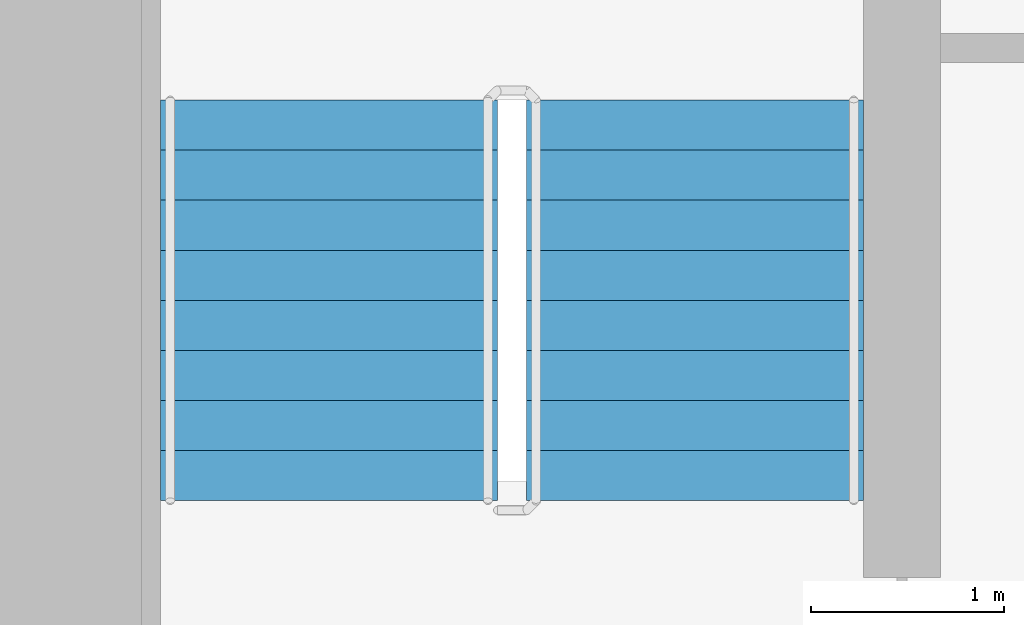
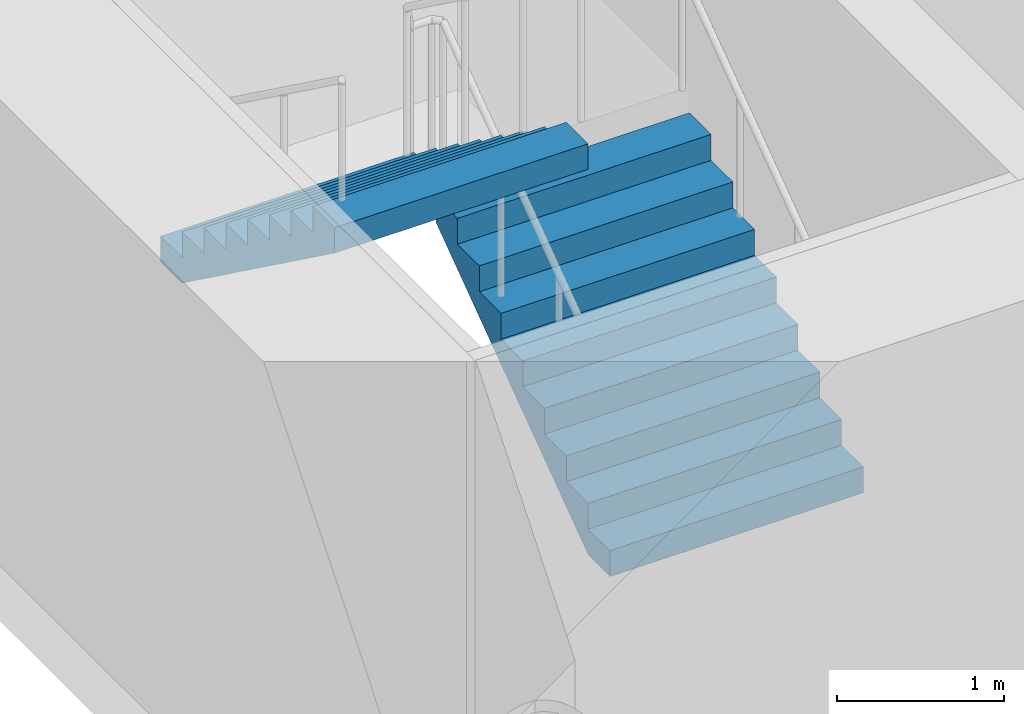
# One storey, part 20 of 22: 2 stair flights, 1 element without a shape of its own.
"""IFC4 building model written with IfcOpenShell, lengths in metres."""

from ifc_helpers import new_model, si_unit, direction, frame, origin, place, context, subcontext, project, spatial, faceted_brep, material, type_object, element, aggregate, save


model = new_model("IFC4")

# Units and contexts
model_context = context("Model", 3, precision=1e-05, world=origin(), true_north=direction((0.0, 1.0)))
body_context = subcontext(model_context, "Body", "Model", "MODEL_VIEW")
ifc_project = project(units=[si_unit("LENGTHUNIT", "METRE"), si_unit("AREAUNIT", "SQUARE_METRE"), si_unit("VOLUMEUNIT", "CUBIC_METRE"), si_unit("PLANEANGLEUNIT", "RADIAN"), si_unit("MASSUNIT", "GRAM", prefix="KILO")], contexts=[model_context])

# Site, building, storey
site_placement = place(None, origin())
site = spatial("IfcSite", under=ifc_project, at=site_placement, CompositionType="ELEMENT")
building_placement = place(site_placement, origin())
building = spatial("IfcBuilding", under=site, at=building_placement, Name="Ipe Terrace Towers", CompositionType="ELEMENT")
storey_placement = place(building_placement, frame((0.0, 0.0, 61.89990234375)))
storey = spatial("IfcBuildingStorey", under=building, at=storey_placement, Name="L16", CompositionType="ELEMENT", Elevation=61.89990234375)

# Stair, stair flights
ifc_material_1 = material(Name="Concrete C30/37", Category="concrete")
stair_type = type_object("IfcStairType", Name="Protected exit stair", PredefinedType="HALF_TURN_STAIR", material=ifc_material_1)
stair_placement = place(storey_placement, origin())
stair = element("IfcStair", 1, at=stair_placement, inside=storey, type_object=stair_type, Name="L16 Exit stair T2-C1", PredefinedType="HALF_TURN_STAIR")
ifc_material_2 = material(Name="Concrete C30/37", Category="concrete")
stair_flight_type = type_object("IfcStairFlightType", Name="Exit stair flight 1750", PredefinedType="STRAIGHT", material=ifc_material_2)
stair_flight_1_placement = place(storey_placement, frame((33.22509765625, 9.699951171875, 0.0), z_axis=(0.0, 0.0, 1.0), x_axis=(0.0, 1.0, 0.0)))
stair_flight_1 = element("IfcStairFlight", 2, at=stair_flight_1_placement, type_object=stair_flight_type, Name="T2-ST1 flight 1", NumberOfRisers=9, NumberOfTreads=8, PredefinedType="STRAIGHT", RiserHeight=0.188888889, TreadLength=0.26, context=body_context, shape_type="Brep", body=[
    faceted_brep([(0.255126953125, -0.875, 0.0), (2.080078125, -0.875, 1.325927734375), (2.080078125, -0.875, 1.51123046875), (1.820068359375, -0.875, 1.51123046875), (1.820068359375, -0.875, 1.322265625), (1.56005859375, -0.875, 1.322265625), (1.56005859375, -0.875, 1.13330078125), (1.300048828125, -0.875, 1.13330078125), (1.300048828125, -0.875, 0.9443359375), (1.0400390625, -0.875, 0.9443359375), (1.0400390625, -0.875, 0.755615234375), (0.780029296875, -0.875, 0.755615234375), (0.780029296875, -0.875, 0.566650390625), (0.52001953125, -0.875, 0.566650390625), (0.52001953125, -0.875, 0.377685546875), (0.260009765625, -0.875, 0.377685546875), (0.260009765625, -0.875, 0.18896484375), (0.0, -0.875, 0.18896484375), (0.0, -0.875, 0.0), (0.0, 0.875, 0.0), (0.0, 0.875, 0.18896484375), (0.260009765625, 0.875, 0.18896484375), (0.260009765625, 0.875, 0.377685546875), (0.52001953125, 0.875, 0.377685546875), (0.52001953125, 0.875, 0.566650390625), (0.780029296875, 0.875, 0.566650390625), (0.780029296875, 0.875, 0.755615234375), (1.0400390625, 0.875, 0.755615234375), (1.0400390625, 0.875, 0.9443359375), (1.300048828125, 0.875, 0.9443359375), (1.300048828125, 0.875, 1.13330078125), (1.56005859375, 0.875, 1.13330078125), (1.56005859375, 0.875, 1.322265625), (1.820068359375, 0.875, 1.322265625), (1.820068359375, 0.875, 1.51123046875), (2.080078125, 0.875, 1.51123046875), (2.080078125, 0.875, 1.325927734375), (0.255126953125, 0.875, 0.0), (0.0, -0.300048828125, 0.18896484375), (0.0, -0.1201171875, 0.18896484375), (0.0, -0.06005859375, 0.18896484375), (0.0, -0.030029296875, 0.18896484375), (0.0, -0.010009765625, 0.18896484375), (0.0, 0.0, 0.18896484375), (0.0, 0.010009765625, 0.18896484375), (0.0, 0.030029296875, 0.18896484375), (0.0, 0.06005859375, 0.18896484375), (0.0, 0.1201171875, 0.18896484375), (0.0, 0.300048828125, 0.18896484375), (0.0, 0.300048828125, 0.0), (0.0, 0.1201171875, 0.0), (0.0, 0.06005859375, 0.0), (0.0, 0.030029296875, 0.0), (0.0, 0.010009765625, 0.0), (0.0, 0.0, 0.0), (0.0, -0.010009765625, 0.0), (0.0, -0.030029296875, 0.0), (0.0, -0.06005859375, 0.0), (0.0, -0.1201171875, 0.0), (0.0, -0.300048828125, 0.0), (0.260009765625, -0.300048828125, 0.18896484375), (0.260009765625, -0.1201171875, 0.18896484375), (0.260009765625, -0.06005859375, 0.18896484375), (0.260009765625, -0.030029296875, 0.18896484375), (0.260009765625, -0.010009765625, 0.18896484375), (0.260009765625, 0.0, 0.18896484375), (0.260009765625, 0.010009765625, 0.18896484375), (0.260009765625, 0.030029296875, 0.18896484375), (0.260009765625, 0.06005859375, 0.18896484375), (0.260009765625, 0.1201171875, 0.18896484375), (0.260009765625, 0.300048828125, 0.18896484375), (0.260009765625, -0.300048828125, 0.377685546875), (0.260009765625, -0.1201171875, 0.377685546875), (0.260009765625, -0.06005859375, 0.377685546875), (0.260009765625, -0.030029296875, 0.377685546875), (0.260009765625, -0.010009765625, 0.377685546875), (0.260009765625, 0.0, 0.377685546875), (0.260009765625, 0.010009765625, 0.377685546875), (0.260009765625, 0.030029296875, 0.377685546875), (0.260009765625, 0.06005859375, 0.377685546875), (0.260009765625, 0.1201171875, 0.377685546875), (0.260009765625, 0.300048828125, 0.377685546875), (0.52001953125, -0.300048828125, 0.377685546875), (0.52001953125, -0.1201171875, 0.377685546875), (0.52001953125, -0.06005859375, 0.377685546875), (0.52001953125, -0.030029296875, 0.377685546875), (0.52001953125, -0.010009765625, 0.377685546875), (0.52001953125, 0.0, 0.377685546875), (0.52001953125, 0.010009765625, 0.377685546875), (0.52001953125, 0.030029296875, 0.377685546875), (0.52001953125, 0.06005859375, 0.377685546875), (0.52001953125, 0.1201171875, 0.377685546875), (0.52001953125, 0.300048828125, 0.377685546875), (0.52001953125, -0.300048828125, 0.566650390625), (0.52001953125, -0.1201171875, 0.566650390625), (0.52001953125, -0.06005859375, 0.566650390625), (0.52001953125, -0.030029296875, 0.566650390625), (0.52001953125, -0.010009765625, 0.566650390625), (0.52001953125, 0.0, 0.566650390625), (0.52001953125, 0.010009765625, 0.566650390625), (0.52001953125, 0.030029296875, 0.566650390625), (0.52001953125, 0.06005859375, 0.566650390625), (0.52001953125, 0.1201171875, 0.566650390625), (0.52001953125, 0.300048828125, 0.566650390625), (0.780029296875, -0.300048828125, 0.566650390625), (0.780029296875, -0.1201171875, 0.566650390625), (0.780029296875, -0.06005859375, 0.566650390625), (0.780029296875, -0.030029296875, 0.566650390625), (0.780029296875, -0.010009765625, 0.566650390625), (0.780029296875, 0.0, 0.566650390625), (0.780029296875, 0.010009765625, 0.566650390625), (0.780029296875, 0.030029296875, 0.566650390625), (0.780029296875, 0.06005859375, 0.566650390625), (0.780029296875, 0.1201171875, 0.566650390625), (0.780029296875, 0.300048828125, 0.566650390625), (0.780029296875, -0.300048828125, 0.755615234375), (0.780029296875, -0.1201171875, 0.755615234375), (0.780029296875, -0.06005859375, 0.755615234375), (0.780029296875, -0.030029296875, 0.755615234375), (0.780029296875, -0.010009765625, 0.755615234375), (0.780029296875, 0.0, 0.755615234375), (0.780029296875, 0.010009765625, 0.755615234375), (0.780029296875, 0.030029296875, 0.755615234375), (0.780029296875, 0.06005859375, 0.755615234375), (0.780029296875, 0.1201171875, 0.755615234375), (0.780029296875, 0.300048828125, 0.755615234375), (1.0400390625, -0.300048828125, 0.755615234375), (1.0400390625, -0.1201171875, 0.755615234375), (1.0400390625, -0.06005859375, 0.755615234375), (1.0400390625, -0.030029296875, 0.755615234375), (1.0400390625, -0.010009765625, 0.755615234375), (1.0400390625, 0.0, 0.755615234375), (1.0400390625, 0.010009765625, 0.755615234375), (1.0400390625, 0.030029296875, 0.755615234375), (1.0400390625, 0.06005859375, 0.755615234375), (1.0400390625, 0.1201171875, 0.755615234375), (1.0400390625, 0.300048828125, 0.755615234375), (1.0400390625, -0.300048828125, 0.9443359375), (1.0400390625, -0.1201171875, 0.9443359375), (1.0400390625, -0.06005859375, 0.9443359375), (1.0400390625, -0.030029296875, 0.9443359375), (1.0400390625, -0.010009765625, 0.9443359375), (1.0400390625, 0.0, 0.9443359375), (1.0400390625, 0.010009765625, 0.9443359375), (1.0400390625, 0.030029296875, 0.9443359375), (1.0400390625, 0.06005859375, 0.9443359375), (1.0400390625, 0.1201171875, 0.9443359375), (1.0400390625, 0.300048828125, 0.9443359375), (1.300048828125, -0.300048828125, 0.9443359375), (1.300048828125, -0.1201171875, 0.9443359375), (1.300048828125, -0.06005859375, 0.9443359375), (1.300048828125, -0.030029296875, 0.9443359375), (1.300048828125, -0.010009765625, 0.9443359375), (1.300048828125, 0.0, 0.9443359375), (1.300048828125, 0.010009765625, 0.9443359375), (1.300048828125, 0.030029296875, 0.9443359375), (1.300048828125, 0.06005859375, 0.9443359375), (1.300048828125, 0.1201171875, 0.9443359375), (1.300048828125, 0.300048828125, 0.9443359375), (1.300048828125, -0.300048828125, 1.13330078125), (1.300048828125, -0.1201171875, 1.13330078125), (1.300048828125, -0.06005859375, 1.13330078125), (1.300048828125, -0.030029296875, 1.13330078125), (1.300048828125, -0.010009765625, 1.13330078125), (1.300048828125, 0.0, 1.13330078125), (1.300048828125, 0.010009765625, 1.13330078125), (1.300048828125, 0.030029296875, 1.13330078125), (1.300048828125, 0.06005859375, 1.13330078125), (1.300048828125, 0.1201171875, 1.13330078125), (1.300048828125, 0.300048828125, 1.13330078125), (1.56005859375, -0.300048828125, 1.13330078125), (1.56005859375, -0.1201171875, 1.13330078125), (1.56005859375, -0.06005859375, 1.13330078125), (1.56005859375, -0.030029296875, 1.13330078125), (1.56005859375, -0.010009765625, 1.13330078125), (1.56005859375, 0.0, 1.13330078125), (1.56005859375, 0.010009765625, 1.13330078125), (1.56005859375, 0.030029296875, 1.13330078125), (1.56005859375, 0.06005859375, 1.13330078125), (1.56005859375, 0.1201171875, 1.13330078125), (1.56005859375, 0.300048828125, 1.13330078125), (1.56005859375, -0.300048828125, 1.322265625), (1.56005859375, -0.1201171875, 1.322265625), (1.56005859375, -0.06005859375, 1.322265625), (1.56005859375, -0.030029296875, 1.322265625), (1.56005859375, -0.010009765625, 1.322265625), (1.56005859375, 0.0, 1.322265625), (1.56005859375, 0.010009765625, 1.322265625), (1.56005859375, 0.030029296875, 1.322265625), (1.56005859375, 0.06005859375, 1.322265625), (1.56005859375, 0.1201171875, 1.322265625), (1.56005859375, 0.300048828125, 1.322265625), (1.820068359375, -0.300048828125, 1.322265625), (1.820068359375, -0.1201171875, 1.322265625), (1.820068359375, -0.06005859375, 1.322265625), (1.820068359375, -0.030029296875, 1.322265625), (1.820068359375, -0.010009765625, 1.322265625), (1.820068359375, 0.0, 1.322265625), (1.820068359375, 0.010009765625, 1.322265625), (1.820068359375, 0.030029296875, 1.322265625), (1.820068359375, 0.06005859375, 1.322265625), (1.820068359375, 0.1201171875, 1.322265625), (1.820068359375, 0.300048828125, 1.322265625), (1.820068359375, -0.300048828125, 1.51123046875), (1.820068359375, -0.1201171875, 1.51123046875), (1.820068359375, -0.06005859375, 1.51123046875), (1.820068359375, -0.030029296875, 1.51123046875), (1.820068359375, -0.010009765625, 1.51123046875), (1.820068359375, 0.0, 1.51123046875), (1.820068359375, 0.010009765625, 1.51123046875), (1.820068359375, 0.030029296875, 1.51123046875), (1.820068359375, 0.06005859375, 1.51123046875), (1.820068359375, 0.1201171875, 1.51123046875), (1.820068359375, 0.300048828125, 1.51123046875), (2.080078125, -0.300048828125, 1.51123046875), (2.080078125, -0.1201171875, 1.51123046875), (2.080078125, -0.06005859375, 1.51123046875), (2.080078125, -0.030029296875, 1.51123046875), (2.080078125, -0.010009765625, 1.51123046875), (2.080078125, 0.0, 1.51123046875), (2.080078125, 0.010009765625, 1.51123046875), (2.080078125, 0.030029296875, 1.51123046875), (2.080078125, 0.06005859375, 1.51123046875), (2.080078125, 0.1201171875, 1.51123046875), (2.080078125, 0.300048828125, 1.51123046875), (2.080078125, -0.300048828125, 1.325927734375), (2.080078125, -0.1201171875, 1.325927734375), (2.080078125, -0.06005859375, 1.325927734375), (2.080078125, -0.030029296875, 1.325927734375), (2.080078125, -0.010009765625, 1.325927734375), (2.080078125, 0.0, 1.325927734375), (2.080078125, 0.010009765625, 1.325927734375), (2.080078125, 0.030029296875, 1.325927734375), (2.080078125, 0.06005859375, 1.325927734375), (2.080078125, 0.1201171875, 1.325927734375), (2.080078125, 0.300048828125, 1.325927734375), (0.255126953125, -0.300048828125, 0.0), (0.255126953125, -0.1201171875, 0.0), (0.255126953125, -0.06005859375, 0.0), (0.255126953125, -0.030029296875, 0.0), (0.255126953125, -0.010009765625, 0.0), (0.255126953125, 0.0, 0.0), (0.255126953125, 0.010009765625, 0.0), (0.255126953125, 0.030029296875, 0.0), (0.255126953125, 0.06005859375, 0.0), (0.255126953125, 0.1201171875, 0.0), (0.255126953125, 0.300048828125, 0.0)], [[[0, 1, 2, 3, 4, 5, 6, 7, 8, 9, 10, 11, 12, 13, 14, 15, 16, 17, 18]], [[19, 20, 21, 22, 23, 24, 25, 26, 27, 28, 29, 30, 31, 32, 33, 34, 35, 36, 37]], [[17, 38, 39, 40, 41, 42, 43, 44, 45, 46, 47, 48, 20, 19, 49, 50, 51, 52, 53, 54, 55, 56, 57, 58, 59, 18]], [[16, 60, 61, 62, 63, 64, 65, 66, 67, 68, 69, 70, 21, 20, 48, 47, 46, 45, 44, 43, 42, 41, 40, 39, 38, 17]], [[15, 71, 72, 73, 74, 75, 76, 77, 78, 79, 80, 81, 22, 21, 70, 69, 68, 67, 66, 65, 64, 63, 62, 61, 60, 16]], [[14, 82, 83, 84, 85, 86, 87, 88, 89, 90, 91, 92, 23, 22, 81, 80, 79, 78, 77, 76, 75, 74, 73, 72, 71, 15]], [[13, 93, 94, 95, 96, 97, 98, 99, 100, 101, 102, 103, 24, 23, 92, 91, 90, 89, 88, 87, 86, 85, 84, 83, 82, 14]], [[12, 104, 105, 106, 107, 108, 109, 110, 111, 112, 113, 114, 25, 24, 103, 102, 101, 100, 99, 98, 97, 96, 95, 94, 93, 13]], [[11, 115, 116, 117, 118, 119, 120, 121, 122, 123, 124, 125, 26, 25, 114, 113, 112, 111, 110, 109, 108, 107, 106, 105, 104, 12]], [[10, 126, 127, 128, 129, 130, 131, 132, 133, 134, 135, 136, 27, 26, 125, 124, 123, 122, 121, 120, 119, 118, 117, 116, 115, 11]], [[9, 137, 138, 139, 140, 141, 142, 143, 144, 145, 146, 147, 28, 27, 136, 135, 134, 133, 132, 131, 130, 129, 128, 127, 126, 10]], [[8, 148, 149, 150, 151, 152, 153, 154, 155, 156, 157, 158, 29, 28, 147, 146, 145, 144, 143, 142, 141, 140, 139, 138, 137, 9]], [[7, 159, 160, 161, 162, 163, 164, 165, 166, 167, 168, 169, 30, 29, 158, 157, 156, 155, 154, 153, 152, 151, 150, 149, 148, 8]], [[6, 170, 171, 172, 173, 174, 175, 176, 177, 178, 179, 180, 31, 30, 169, 168, 167, 166, 165, 164, 163, 162, 161, 160, 159, 7]], [[5, 181, 182, 183, 184, 185, 186, 187, 188, 189, 190, 191, 32, 31, 180, 179, 178, 177, 176, 175, 174, 173, 172, 171, 170, 6]], [[4, 192, 193, 194, 195, 196, 197, 198, 199, 200, 201, 202, 33, 32, 191, 190, 189, 188, 187, 186, 185, 184, 183, 182, 181, 5]], [[3, 203, 204, 205, 206, 207, 208, 209, 210, 211, 212, 213, 34, 33, 202, 201, 200, 199, 198, 197, 196, 195, 194, 193, 192, 4]], [[2, 214, 215, 216, 217, 218, 219, 220, 221, 222, 223, 224, 35, 34, 213, 212, 211, 210, 209, 208, 207, 206, 205, 204, 203, 3]], [[1, 225, 226, 227, 228, 229, 230, 231, 232, 233, 234, 235, 36, 35, 224, 223, 222, 221, 220, 219, 218, 217, 216, 215, 214, 2]], [[0, 236, 237, 238, 239, 240, 241, 242, 243, 244, 245, 246, 37, 36, 235, 234, 233, 232, 231, 230, 229, 228, 227, 226, 225, 1]], [[18, 59, 58, 57, 56, 55, 54, 53, 52, 51, 50, 49, 19, 37, 246, 245, 244, 243, 242, 241, 240, 239, 238, 237, 236, 0]]]),
])
stair_flight_2_placement = place(storey_placement, frame((31.324951171875, 11.780029296875, 1.7001953125), z_axis=(0.0, 0.0, 1.0), x_axis=(0.0, -1.0, 0.0)))
stair_flight_2 = element("IfcStairFlight", 3, at=stair_flight_2_placement, type_object=stair_flight_type, Name="T2-ST1 flight 2", NumberOfRisers=9, NumberOfTreads=8, PredefinedType="STRAIGHT", RiserHeight=0.188888889, TreadLength=0.26, context=body_context, shape_type="Brep", body=[
    faceted_brep([(0.255126953125, -0.875, 0.0), (2.080078125, -0.875, 1.325927734375), (2.080078125, -0.875, 1.51123046875), (1.820068359375, -0.875, 1.51123046875), (1.820068359375, -0.875, 1.322265625), (1.56005859375, -0.875, 1.322265625), (1.56005859375, -0.875, 1.13330078125), (1.300048828125, -0.875, 1.13330078125), (1.300048828125, -0.875, 0.9443359375), (1.0400390625, -0.875, 0.9443359375), (1.0400390625, -0.875, 0.755615234375), (0.780029296875, -0.875, 0.755615234375), (0.780029296875, -0.875, 0.566650390625), (0.52001953125, -0.875, 0.566650390625), (0.52001953125, -0.875, 0.377685546875), (0.260009765625, -0.875, 0.377685546875), (0.260009765625, -0.875, 0.18896484375), (0.0, -0.875, 0.18896484375), (0.0, -0.875, 0.0), (0.0, 0.875, 0.0), (0.0, 0.875, 0.18896484375), (0.260009765625, 0.875, 0.18896484375), (0.260009765625, 0.875, 0.377685546875), (0.52001953125, 0.875, 0.377685546875), (0.52001953125, 0.875, 0.566650390625), (0.780029296875, 0.875, 0.566650390625), (0.780029296875, 0.875, 0.755615234375), (1.0400390625, 0.875, 0.755615234375), (1.0400390625, 0.875, 0.9443359375), (1.300048828125, 0.875, 0.9443359375), (1.300048828125, 0.875, 1.13330078125), (1.56005859375, 0.875, 1.13330078125), (1.56005859375, 0.875, 1.322265625), (1.820068359375, 0.875, 1.322265625), (1.820068359375, 0.875, 1.51123046875), (2.080078125, 0.875, 1.51123046875), (2.080078125, 0.875, 1.325927734375), (0.255126953125, 0.875, 0.0), (0.0, -0.300048828125, 0.18896484375), (0.0, -0.1201171875, 0.18896484375), (0.0, -0.06005859375, 0.18896484375), (0.0, -0.030029296875, 0.18896484375), (0.0, -0.010009765625, 0.18896484375), (0.0, 0.0, 0.18896484375), (0.0, 0.010009765625, 0.18896484375), (0.0, 0.030029296875, 0.18896484375), (0.0, 0.06005859375, 0.18896484375), (0.0, 0.1201171875, 0.18896484375), (0.0, 0.300048828125, 0.18896484375), (0.0, 0.300048828125, 0.0), (0.0, 0.1201171875, 0.0), (0.0, 0.06005859375, 0.0), (0.0, 0.030029296875, 0.0), (0.0, 0.010009765625, 0.0), (0.0, 0.0, 0.0), (0.0, -0.010009765625, 0.0), (0.0, -0.030029296875, 0.0), (0.0, -0.06005859375, 0.0), (0.0, -0.1201171875, 0.0), (0.0, -0.300048828125, 0.0), (0.260009765625, -0.300048828125, 0.18896484375), (0.260009765625, -0.1201171875, 0.18896484375), (0.260009765625, -0.06005859375, 0.18896484375), (0.260009765625, -0.030029296875, 0.18896484375), (0.260009765625, -0.010009765625, 0.18896484375), (0.260009765625, 0.0, 0.18896484375), (0.260009765625, 0.010009765625, 0.18896484375), (0.260009765625, 0.030029296875, 0.18896484375), (0.260009765625, 0.06005859375, 0.18896484375), (0.260009765625, 0.1201171875, 0.18896484375), (0.260009765625, 0.300048828125, 0.18896484375), (0.260009765625, -0.300048828125, 0.377685546875), (0.260009765625, -0.1201171875, 0.377685546875), (0.260009765625, -0.06005859375, 0.377685546875), (0.260009765625, -0.030029296875, 0.377685546875), (0.260009765625, -0.010009765625, 0.377685546875), (0.260009765625, 0.0, 0.377685546875), (0.260009765625, 0.010009765625, 0.377685546875), (0.260009765625, 0.030029296875, 0.377685546875), (0.260009765625, 0.06005859375, 0.377685546875), (0.260009765625, 0.1201171875, 0.377685546875), (0.260009765625, 0.300048828125, 0.377685546875), (0.52001953125, -0.300048828125, 0.377685546875), (0.52001953125, -0.1201171875, 0.377685546875), (0.52001953125, -0.06005859375, 0.377685546875), (0.52001953125, -0.030029296875, 0.377685546875), (0.52001953125, -0.010009765625, 0.377685546875), (0.52001953125, 0.0, 0.377685546875), (0.52001953125, 0.010009765625, 0.377685546875), (0.52001953125, 0.030029296875, 0.377685546875), (0.52001953125, 0.06005859375, 0.377685546875), (0.52001953125, 0.1201171875, 0.377685546875), (0.52001953125, 0.300048828125, 0.377685546875), (0.52001953125, -0.300048828125, 0.566650390625), (0.52001953125, -0.1201171875, 0.566650390625), (0.52001953125, -0.06005859375, 0.566650390625), (0.52001953125, -0.030029296875, 0.566650390625), (0.52001953125, -0.010009765625, 0.566650390625), (0.52001953125, 0.0, 0.566650390625), (0.52001953125, 0.010009765625, 0.566650390625), (0.52001953125, 0.030029296875, 0.566650390625), (0.52001953125, 0.06005859375, 0.566650390625), (0.52001953125, 0.1201171875, 0.566650390625), (0.52001953125, 0.300048828125, 0.566650390625), (0.780029296875, -0.300048828125, 0.566650390625), (0.780029296875, -0.1201171875, 0.566650390625), (0.780029296875, -0.06005859375, 0.566650390625), (0.780029296875, -0.030029296875, 0.566650390625), (0.780029296875, -0.010009765625, 0.566650390625), (0.780029296875, 0.0, 0.566650390625), (0.780029296875, 0.010009765625, 0.566650390625), (0.780029296875, 0.030029296875, 0.566650390625), (0.780029296875, 0.06005859375, 0.566650390625), (0.780029296875, 0.1201171875, 0.566650390625), (0.780029296875, 0.300048828125, 0.566650390625), (0.780029296875, -0.300048828125, 0.755615234375), (0.780029296875, -0.1201171875, 0.755615234375), (0.780029296875, -0.06005859375, 0.755615234375), (0.780029296875, -0.030029296875, 0.755615234375), (0.780029296875, -0.010009765625, 0.755615234375), (0.780029296875, 0.0, 0.755615234375), (0.780029296875, 0.010009765625, 0.755615234375), (0.780029296875, 0.030029296875, 0.755615234375), (0.780029296875, 0.06005859375, 0.755615234375), (0.780029296875, 0.1201171875, 0.755615234375), (0.780029296875, 0.300048828125, 0.755615234375), (1.0400390625, -0.300048828125, 0.755615234375), (1.0400390625, -0.1201171875, 0.755615234375), (1.0400390625, -0.06005859375, 0.755615234375), (1.0400390625, -0.030029296875, 0.755615234375), (1.0400390625, -0.010009765625, 0.755615234375), (1.0400390625, 0.0, 0.755615234375), (1.0400390625, 0.010009765625, 0.755615234375), (1.0400390625, 0.030029296875, 0.755615234375), (1.0400390625, 0.06005859375, 0.755615234375), (1.0400390625, 0.1201171875, 0.755615234375), (1.0400390625, 0.300048828125, 0.755615234375), (1.0400390625, -0.300048828125, 0.9443359375), (1.0400390625, -0.1201171875, 0.9443359375), (1.0400390625, -0.06005859375, 0.9443359375), (1.0400390625, -0.030029296875, 0.9443359375), (1.0400390625, -0.010009765625, 0.9443359375), (1.0400390625, 0.0, 0.9443359375), (1.0400390625, 0.010009765625, 0.9443359375), (1.0400390625, 0.030029296875, 0.9443359375), (1.0400390625, 0.06005859375, 0.9443359375), (1.0400390625, 0.1201171875, 0.9443359375), (1.0400390625, 0.300048828125, 0.9443359375), (1.300048828125, -0.300048828125, 0.9443359375), (1.300048828125, -0.1201171875, 0.9443359375), (1.300048828125, -0.06005859375, 0.9443359375), (1.300048828125, -0.030029296875, 0.9443359375), (1.300048828125, -0.010009765625, 0.9443359375), (1.300048828125, 0.0, 0.9443359375), (1.300048828125, 0.010009765625, 0.9443359375), (1.300048828125, 0.030029296875, 0.9443359375), (1.300048828125, 0.06005859375, 0.9443359375), (1.300048828125, 0.1201171875, 0.9443359375), (1.300048828125, 0.300048828125, 0.9443359375), (1.300048828125, -0.300048828125, 1.13330078125), (1.300048828125, -0.1201171875, 1.13330078125), (1.300048828125, -0.06005859375, 1.13330078125), (1.300048828125, -0.030029296875, 1.13330078125), (1.300048828125, -0.010009765625, 1.13330078125), (1.300048828125, 0.0, 1.13330078125), (1.300048828125, 0.010009765625, 1.13330078125), (1.300048828125, 0.030029296875, 1.13330078125), (1.300048828125, 0.06005859375, 1.13330078125), (1.300048828125, 0.1201171875, 1.13330078125), (1.300048828125, 0.300048828125, 1.13330078125), (1.56005859375, -0.300048828125, 1.13330078125), (1.56005859375, -0.1201171875, 1.13330078125), (1.56005859375, -0.06005859375, 1.13330078125), (1.56005859375, -0.030029296875, 1.13330078125), (1.56005859375, -0.010009765625, 1.13330078125), (1.56005859375, 0.0, 1.13330078125), (1.56005859375, 0.010009765625, 1.13330078125), (1.56005859375, 0.030029296875, 1.13330078125), (1.56005859375, 0.06005859375, 1.13330078125), (1.56005859375, 0.1201171875, 1.13330078125), (1.56005859375, 0.300048828125, 1.13330078125), (1.56005859375, -0.300048828125, 1.322265625), (1.56005859375, -0.1201171875, 1.322265625), (1.56005859375, -0.06005859375, 1.322265625), (1.56005859375, -0.030029296875, 1.322265625), (1.56005859375, -0.010009765625, 1.322265625), (1.56005859375, 0.0, 1.322265625), (1.56005859375, 0.010009765625, 1.322265625), (1.56005859375, 0.030029296875, 1.322265625), (1.56005859375, 0.06005859375, 1.322265625), (1.56005859375, 0.1201171875, 1.322265625), (1.56005859375, 0.300048828125, 1.322265625), (1.820068359375, -0.300048828125, 1.322265625), (1.820068359375, -0.1201171875, 1.322265625), (1.820068359375, -0.06005859375, 1.322265625), (1.820068359375, -0.030029296875, 1.322265625), (1.820068359375, -0.010009765625, 1.322265625), (1.820068359375, 0.0, 1.322265625), (1.820068359375, 0.010009765625, 1.322265625), (1.820068359375, 0.030029296875, 1.322265625), (1.820068359375, 0.06005859375, 1.322265625), (1.820068359375, 0.1201171875, 1.322265625), (1.820068359375, 0.300048828125, 1.322265625), (1.820068359375, -0.300048828125, 1.51123046875), (1.820068359375, -0.1201171875, 1.51123046875), (1.820068359375, -0.06005859375, 1.51123046875), (1.820068359375, -0.030029296875, 1.51123046875), (1.820068359375, -0.010009765625, 1.51123046875), (1.820068359375, 0.0, 1.51123046875), (1.820068359375, 0.010009765625, 1.51123046875), (1.820068359375, 0.030029296875, 1.51123046875), (1.820068359375, 0.06005859375, 1.51123046875), (1.820068359375, 0.1201171875, 1.51123046875), (1.820068359375, 0.300048828125, 1.51123046875), (2.080078125, -0.300048828125, 1.51123046875), (2.080078125, -0.1201171875, 1.51123046875), (2.080078125, -0.06005859375, 1.51123046875), (2.080078125, -0.030029296875, 1.51123046875), (2.080078125, -0.010009765625, 1.51123046875), (2.080078125, 0.0, 1.51123046875), (2.080078125, 0.010009765625, 1.51123046875), (2.080078125, 0.030029296875, 1.51123046875), (2.080078125, 0.06005859375, 1.51123046875), (2.080078125, 0.1201171875, 1.51123046875), (2.080078125, 0.300048828125, 1.51123046875), (2.080078125, -0.300048828125, 1.325927734375), (2.080078125, -0.1201171875, 1.325927734375), (2.080078125, -0.06005859375, 1.325927734375), (2.080078125, -0.030029296875, 1.325927734375), (2.080078125, -0.010009765625, 1.325927734375), (2.080078125, 0.0, 1.325927734375), (2.080078125, 0.010009765625, 1.325927734375), (2.080078125, 0.030029296875, 1.325927734375), (2.080078125, 0.06005859375, 1.325927734375), (2.080078125, 0.1201171875, 1.325927734375), (2.080078125, 0.300048828125, 1.325927734375), (0.255126953125, -0.300048828125, 0.0), (0.255126953125, -0.1201171875, 0.0), (0.255126953125, -0.06005859375, 0.0), (0.255126953125, -0.030029296875, 0.0), (0.255126953125, -0.010009765625, 0.0), (0.255126953125, 0.0, 0.0), (0.255126953125, 0.010009765625, 0.0), (0.255126953125, 0.030029296875, 0.0), (0.255126953125, 0.06005859375, 0.0), (0.255126953125, 0.1201171875, 0.0), (0.255126953125, 0.300048828125, 0.0)], [[[0, 1, 2, 3, 4, 5, 6, 7, 8, 9, 10, 11, 12, 13, 14, 15, 16, 17, 18]], [[19, 20, 21, 22, 23, 24, 25, 26, 27, 28, 29, 30, 31, 32, 33, 34, 35, 36, 37]], [[17, 38, 39, 40, 41, 42, 43, 44, 45, 46, 47, 48, 20, 19, 49, 50, 51, 52, 53, 54, 55, 56, 57, 58, 59, 18]], [[16, 60, 61, 62, 63, 64, 65, 66, 67, 68, 69, 70, 21, 20, 48, 47, 46, 45, 44, 43, 42, 41, 40, 39, 38, 17]], [[15, 71, 72, 73, 74, 75, 76, 77, 78, 79, 80, 81, 22, 21, 70, 69, 68, 67, 66, 65, 64, 63, 62, 61, 60, 16]], [[14, 82, 83, 84, 85, 86, 87, 88, 89, 90, 91, 92, 23, 22, 81, 80, 79, 78, 77, 76, 75, 74, 73, 72, 71, 15]], [[13, 93, 94, 95, 96, 97, 98, 99, 100, 101, 102, 103, 24, 23, 92, 91, 90, 89, 88, 87, 86, 85, 84, 83, 82, 14]], [[12, 104, 105, 106, 107, 108, 109, 110, 111, 112, 113, 114, 25, 24, 103, 102, 101, 100, 99, 98, 97, 96, 95, 94, 93, 13]], [[11, 115, 116, 117, 118, 119, 120, 121, 122, 123, 124, 125, 26, 25, 114, 113, 112, 111, 110, 109, 108, 107, 106, 105, 104, 12]], [[10, 126, 127, 128, 129, 130, 131, 132, 133, 134, 135, 136, 27, 26, 125, 124, 123, 122, 121, 120, 119, 118, 117, 116, 115, 11]], [[9, 137, 138, 139, 140, 141, 142, 143, 144, 145, 146, 147, 28, 27, 136, 135, 134, 133, 132, 131, 130, 129, 128, 127, 126, 10]], [[8, 148, 149, 150, 151, 152, 153, 154, 155, 156, 157, 158, 29, 28, 147, 146, 145, 144, 143, 142, 141, 140, 139, 138, 137, 9]], [[7, 159, 160, 161, 162, 163, 164, 165, 166, 167, 168, 169, 30, 29, 158, 157, 156, 155, 154, 153, 152, 151, 150, 149, 148, 8]], [[6, 170, 171, 172, 173, 174, 175, 176, 177, 178, 179, 180, 31, 30, 169, 168, 167, 166, 165, 164, 163, 162, 161, 160, 159, 7]], [[5, 181, 182, 183, 184, 185, 186, 187, 188, 189, 190, 191, 32, 31, 180, 179, 178, 177, 176, 175, 174, 173, 172, 171, 170, 6]], [[4, 192, 193, 194, 195, 196, 197, 198, 199, 200, 201, 202, 33, 32, 191, 190, 189, 188, 187, 186, 185, 184, 183, 182, 181, 5]], [[3, 203, 204, 205, 206, 207, 208, 209, 210, 211, 212, 213, 34, 33, 202, 201, 200, 199, 198, 197, 196, 195, 194, 193, 192, 4]], [[2, 214, 215, 216, 217, 218, 219, 220, 221, 222, 223, 224, 35, 34, 213, 212, 211, 210, 209, 208, 207, 206, 205, 204, 203, 3]], [[1, 225, 226, 227, 228, 229, 230, 231, 232, 233, 234, 235, 36, 35, 224, 223, 222, 221, 220, 219, 218, 217, 216, 215, 214, 2]], [[0, 236, 237, 238, 239, 240, 241, 242, 243, 244, 245, 246, 37, 36, 235, 234, 233, 232, 231, 230, 229, 228, 227, 226, 225, 1]], [[18, 59, 58, 57, 56, 55, 54, 53, 52, 51, 50, 49, 19, 37, 246, 245, 244, 243, 242, 241, 240, 239, 238, 237, 236, 0]]]),
])
aggregate(stair, [stair_flight_1, stair_flight_2])

save(model, "model.ifc")
